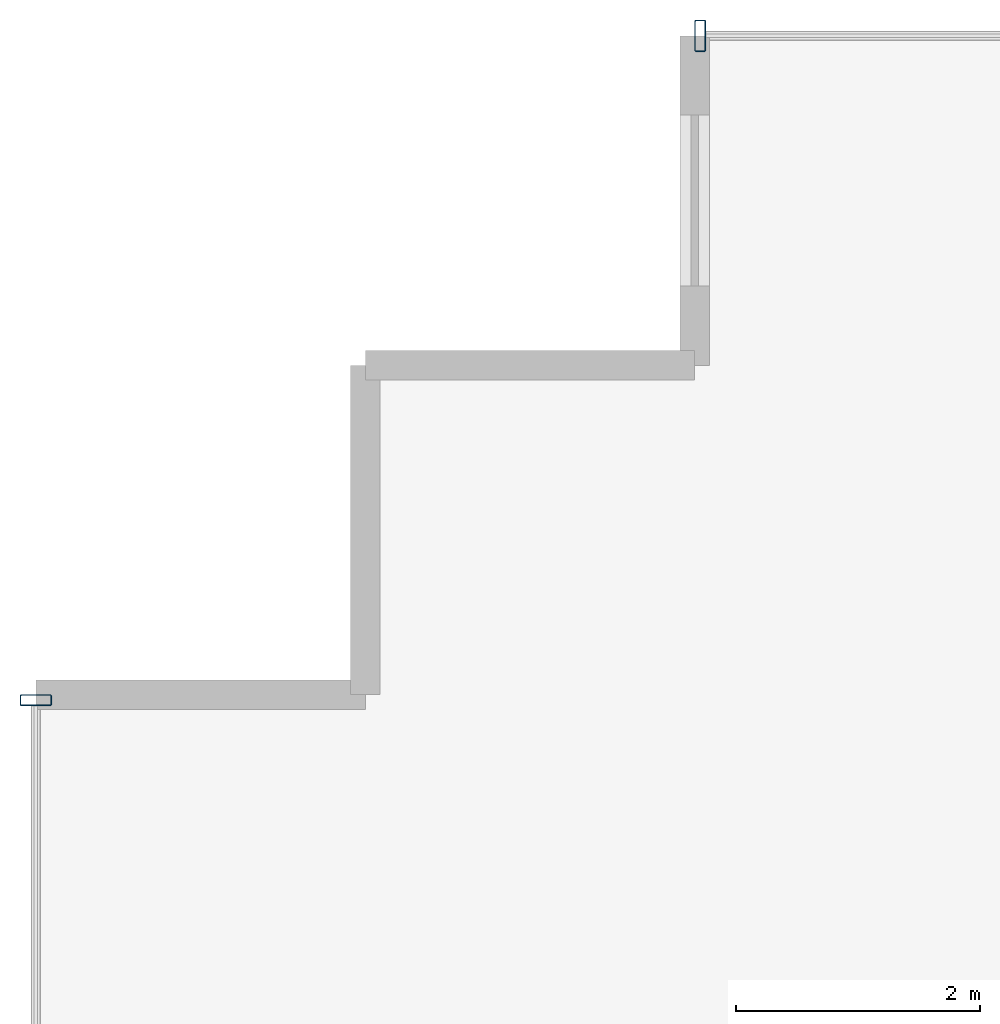
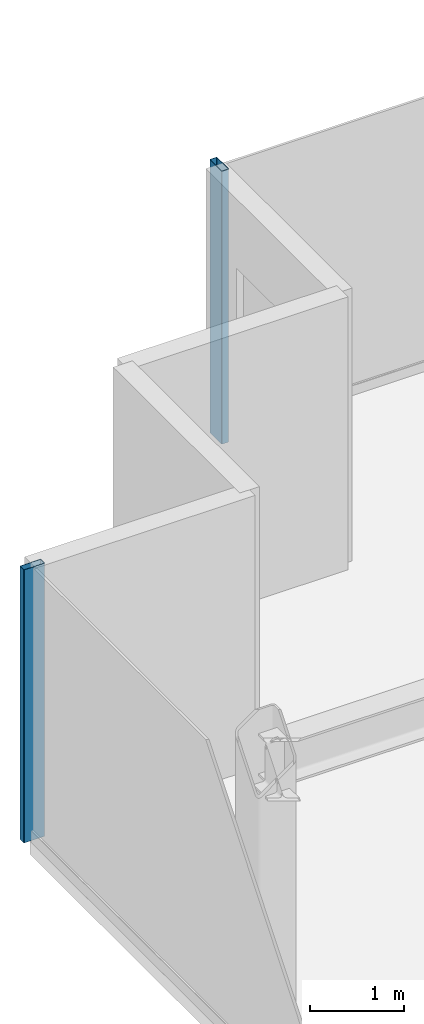
# One storey, part 9 of 17: 2 members, 2 elements without a shape of their own.
"""IFC4 building model written with IfcOpenShell, lengths in metres."""

from ifc_helpers import new_model, si_unit, direction, frame, origin, origin_2d, place, context, subcontext, project, spatial, hollow_rectangle, extrude, source, transform, mapped, material, layer, layer_set, material_profile, profile_set, type_object, element, aggregate, save


model = new_model("IFC4")

# Units and contexts
model_context = context("Model", 3, precision=1e-05, world=origin(), true_north=direction((0.0, 1.0)))
body_context = subcontext(model_context, "Body", "Model", "MODEL_VIEW")
ifc_project = project(units=[si_unit("LENGTHUNIT", "METRE"), si_unit("AREAUNIT", "SQUARE_METRE"), si_unit("VOLUMEUNIT", "CUBIC_METRE"), si_unit("PLANEANGLEUNIT", "RADIAN"), si_unit("MASSUNIT", "GRAM", prefix="KILO")], contexts=[model_context])

# Site, building, storey
site_placement = place(None, origin())
site = spatial("IfcSite", under=ifc_project, at=site_placement, CompositionType="ELEMENT")
building_placement = place(site_placement, origin())
building = spatial("IfcBuilding", under=site, at=building_placement, Name="Nefas-Gora Pilgrimage Tower", CompositionType="ELEMENT")
storey_placement = place(building_placement, frame((0.0, 0.0, 341.39990234375)))
storey = spatial("IfcBuildingStorey", under=building, at=storey_placement, Name="L86", CompositionType="ELEMENT", Elevation=341.39990234375)

# Curtain wall, member
ifc_material_1 = material(Name="Dark ceramic-fritted solar-control aluminium-glass curtain wall", Category="aluminium")
ifc_layer = layer(ifc_material_1, 0.219970703125)
ifc_layer_set = layer_set([ifc_layer], Name="Dark ceramic-fritted solar-control aluminium-glass curtain wall")
curtain_wall_type = type_object("IfcCurtainWallType", Name="CW-SYS-4", PredefinedType="NOTDEFINED", material=ifc_layer_set)
curtain_wall_1_placement = place(storey_placement, origin())
curtain_wall_1 = element("IfcCurtainWall", 1, at=curtain_wall_1_placement, inside=storey, type_object=curtain_wall_type, Name="L86 Unitised Curtain Wall CW4", PredefinedType="NOTDEFINED")
ifc_material_2 = material(Name="Anodised architectural aluminium", Category="aluminium")
ifc_material_profile = material_profile(ifc_material_2, hollow_rectangle(XDim=0.090087890625, YDim=0.260009765625, WallThickness=0.006103515625, InnerFilletRadius=0.006103515625, OuterFilletRadius=0.011962890625, at=origin_2d()), Name="ALU MULLION 90x260")
ifc_profile_set = profile_set([ifc_material_profile], Name="Anodised architectural aluminium")
member_type = type_object("IfcMemberType", Name="CWM-MUL-4", PredefinedType="MULLION", material=ifc_profile_set)
shared_shape = source(origin(), body_context, "Body", "SweptSolid", [
    extrude(hollow_rectangle(XDim=0.090087890625, YDim=0.260009765625, WallThickness=0.006103515625, InnerFilletRadius=0.006103515625, OuterFilletRadius=0.011962890625, at=origin_2d()), origin(), (0.0, 0.0, 1.0), 3.550048828125),
])
member_1_placement = place(storey_placement, frame((-19.824951171875, 23.02001953125, 0.0), z_axis=(0.0, 0.0, 1.0), x_axis=(-1.0, 0.0, 0.0)))
member_1 = element("IfcMember", 2, at=member_1_placement, type_object=member_type, Name="CW4 Mullion 2", PredefinedType="MULLION", context=body_context, shape_type="MappedRepresentation", body=[
    mapped(shared_shape, transform((0.0, 0.0, 0.0), x_axis=(1.0, 0.0, 0.0), y_axis=(0.0, 1.0, 0.0), z_axis=(0.0, 0.0, 1.0), scale=1.0)),
])
aggregate(curtain_wall_1, [member_1])

curtain_wall_2_placement = place(storey_placement, origin())
curtain_wall_2 = element("IfcCurtainWall", 3, at=curtain_wall_2_placement, inside=storey, type_object=curtain_wall_type, Name="L86 Unitised Curtain Wall CW4", PredefinedType="NOTDEFINED")
member_2_placement = place(storey_placement, frame((-25.27001953125, 17.574951171875, 0.0), z_axis=(0.0, 0.0, 1.0), x_axis=(0.0, -1.0, 0.0)))
member_2 = element("IfcMember", 4, at=member_2_placement, type_object=member_type, Name="CW4 Mullion 1", PredefinedType="MULLION", context=body_context, shape_type="MappedRepresentation", body=[
    mapped(shared_shape, transform((0.0, 0.0, 0.0), x_axis=(1.0, 0.0, 0.0), y_axis=(0.0, 1.0, 0.0), z_axis=(0.0, 0.0, 1.0), scale=1.0)),
])
aggregate(curtain_wall_2, [member_2])

save(model, "model.ifc")
